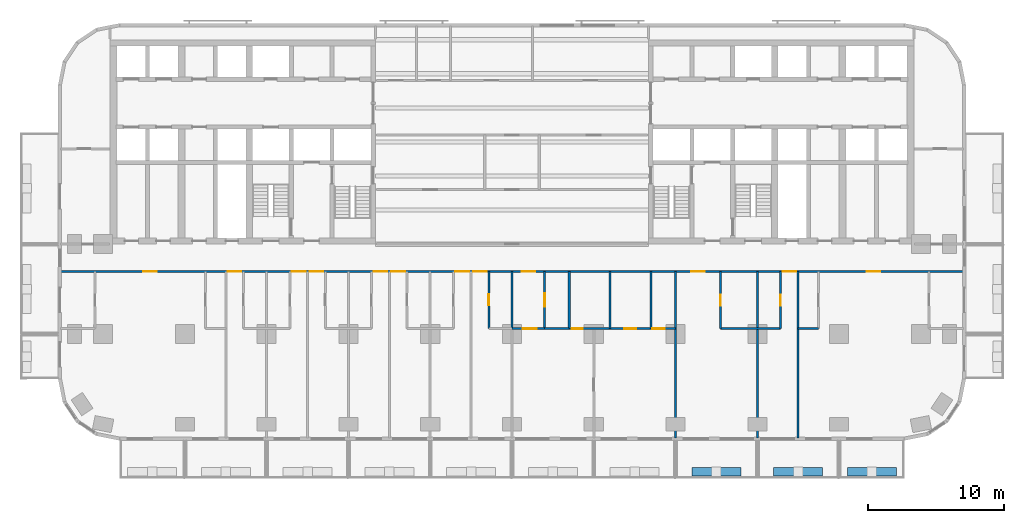
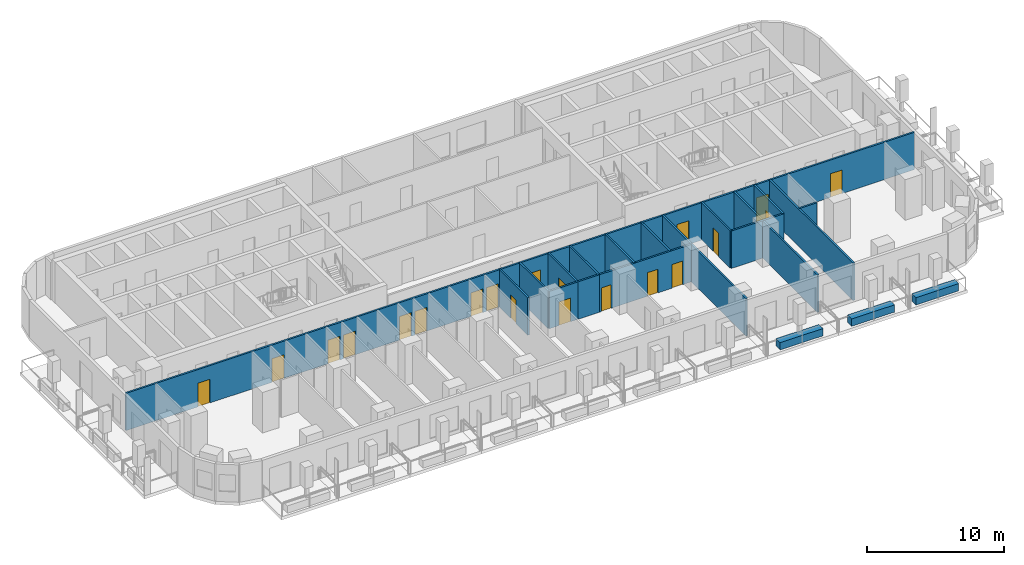
# One storey, part 5 of 13: 20 doors, 20 walls, 20 openings.
"""IFC4 building model written with IfcOpenShell, lengths in metres."""

from ifc_helpers import new_model, si_unit, direction, frame, frame_2d, origin, place, context, subcontext, project, spatial, rectangle, extrude, material, layer, layer_set, type_object, element, fill, save


model = new_model("IFC4")

# Units and contexts
model_context = context("Model", 3, precision=1e-05, world=origin(), true_north=direction((0.0, 1.0)))
body_context = subcontext(model_context, "Body", "Model", "MODEL_VIEW")
ifc_project = project(units=[si_unit("LENGTHUNIT", "METRE"), si_unit("AREAUNIT", "SQUARE_METRE"), si_unit("VOLUMEUNIT", "CUBIC_METRE"), si_unit("PLANEANGLEUNIT", "RADIAN"), si_unit("MASSUNIT", "GRAM", prefix="KILO")], contexts=[model_context])

# Site, building, storey
site_placement = place(None, origin())
site = spatial("IfcSite", under=ifc_project, at=site_placement, CompositionType="ELEMENT")
building_placement = place(site_placement, origin())
building = spatial("IfcBuilding", under=site, at=building_placement, Name="Torana Hotel and Residences", CompositionType="ELEMENT")
storey_placement = place(building_placement, frame((0.0, 0.0, 60.0)))
storey = spatial("IfcBuildingStorey", under=building, at=storey_placement, Name="L14", CompositionType="ELEMENT", Elevation=60.0)

# Wall, opening, door
ifc_material_1 = material(Name="Gypsum plaster")
ifc_layer_1 = layer(ifc_material_1, 0.014892578125, Name="Plaster", Category="finish")
ifc_material_2 = material(Name="Concrete blockwork", Category="masonry")
ifc_layer_2 = layer(ifc_material_2, 0.1201171875, Name="Blockwork", Category="structure")
ifc_layer_3 = layer(ifc_material_1, 0.014892578125, Name="Plaster", Category="finish")
ifc_layer_set_1 = layer_set([ifc_layer_1, ifc_layer_2, ifc_layer_3], Name="FIRE PARTITION 150 BLOCKWORK")
wall_type_1 = type_object("IfcWallType", Name="FIRE PARTITION 150 BLOCKWORK", PredefinedType="PARTITIONING", material=ifc_layer_set_1)
wall_1_placement = place(storey_placement, frame((2.39990234375, -21.199951171875, 0.0), z_axis=(0.0, 0.0, 1.0), x_axis=(0.0, 1.0, 0.0)))
wall_1 = element("IfcWall", 1, at=wall_1_placement, inside=storey, type_object=wall_type_1, Name="Partition L14", PredefinedType="PARTITIONING", context=body_context, shape_type="SweptSolid", body=[
    extrude(rectangle(XDim=4.199951171875, YDim=0.14990234375, at=frame_2d((2.10009765625, 0.0))), origin(), (0.0, 0.0, 1.0), 3.320068359375),
])
opening_1_placement = place(wall_1_placement, frame((1.60009765625, 0.0, 0.0)))
opening_1 = element("IfcOpeningElement", 2, at=opening_1_placement, cuts=wall_1, Name="Opening L14-63", PredefinedType="OPENING", context=body_context, shape_type="SweptSolid", body=[
    extrude(rectangle(XDim=1.0, YDim=2.10009765625, at=frame_2d((0.5, 1.050048828125))), frame((0.0, 0.0849609375, 0.0), z_axis=(0.0, -1.0, 0.0), x_axis=(1.0, 0.0, 0.0)), (0.0, 0.0, 1.0), 0.169921875),
])
ifc_material_3 = material(Name="Steel S235", Category="steel")
door_type_1 = type_object("IfcDoorType", Name="ENTRY FIRE DOOR D6 1000x2100", OperationType="SINGLE_SWING_LEFT", PredefinedType="DOOR", material=ifc_material_3)
door_1_placement = place(opening_1_placement, frame((0.5, 0.0, 0.0), z_axis=(0.0, 0.0, 1.0), x_axis=(-1.0, 0.0, 0.0)))
door_1 = element("IfcDoor", 3, at=door_1_placement, inside=storey, type_object=door_type_1, Name="Door L14", OperationType="SINGLE_SWING_LEFT", OverallHeight=2.10009765625, OverallWidth=1.0, PredefinedType="DOOR", context=body_context, shape_type="SweptSolid", body=[
    extrude(rectangle(XDim=1.0, YDim=2.10009765625, at=frame_2d((0.0, 1.050048828125))), frame((0.0, -0.02490234375, 0.0), z_axis=(0.0, 1.0, 0.0), x_axis=(-1.0, 0.0, 0.0)), (0.0, 0.0, 1.0), 0.050048828125),
])
fill(opening_1, door_1)

# Wall
wall_2_placement = place(storey_placement, frame((0.0, -21.199951171875, 0.0), z_axis=(0.0, 0.0, 1.0), x_axis=(0.0, 1.0, 0.0)))
element("IfcWall", 4, at=wall_2_placement, inside=storey, type_object=wall_type_1, Name="Partition L14", PredefinedType="PARTITIONING", context=body_context, shape_type="SweptSolid", body=[
    extrude(rectangle(XDim=4.199951171875, YDim=0.14990234375, at=frame_2d((2.10009765625, 0.0))), origin(), (0.0, 0.0, 1.0), 3.320068359375),
])

# Wall, opening, door
wall_3_placement = place(storey_placement, frame((0.0, -21.199951171875, 0.0), z_axis=(0.0, 0.0, 1.0), x_axis=(1.0, 0.0, 0.0)))
wall_3 = element("IfcWall", 5, at=wall_3_placement, inside=storey, type_object=wall_type_1, Name="Partition L14", PredefinedType="PARTITIONING", context=body_context, shape_type="SweptSolid", body=[
    extrude(rectangle(XDim=2.39990234375, YDim=0.14990234375, at=frame_2d((1.199951171875, 0.0))), origin(), (0.0, 0.0, 1.0), 3.320068359375),
])
opening_2_placement = place(wall_3_placement, frame((0.800048828125, 0.0, 0.0)))
opening_2 = element("IfcOpeningElement", 6, at=opening_2_placement, cuts=wall_3, Name="Opening L14-64", PredefinedType="OPENING", context=body_context, shape_type="SweptSolid", body=[
    extrude(rectangle(XDim=1.0, YDim=2.10009765625, at=frame_2d((0.5, 1.050048828125))), frame((0.0, 0.0849609375, 0.0), z_axis=(0.0, -1.0, 0.0), x_axis=(1.0, 0.0, 0.0)), (0.0, 0.0, 1.0), 0.169921875),
])
door_2_placement = place(opening_2_placement, frame((0.5, 0.0, 0.0), z_axis=(0.0, 0.0, 1.0), x_axis=(-1.0, 0.0, 0.0)))
door_2 = element("IfcDoor", 7, at=door_2_placement, inside=storey, type_object=door_type_1, Name="Door L14", OperationType="SINGLE_SWING_LEFT", OverallHeight=2.10009765625, OverallWidth=1.0, PredefinedType="DOOR", context=body_context, shape_type="SweptSolid", body=[
    extrude(rectangle(XDim=1.0, YDim=2.10009765625, at=frame_2d((0.0, 1.050048828125))), frame((0.0, -0.02490234375, 0.0), z_axis=(0.0, 1.0, 0.0), x_axis=(-1.0, 0.0, 0.0)), (0.0, 0.0, 1.0), 0.050048828125),
])
fill(opening_2, door_2)

# Wall, openings, doors
wall_4_placement = place(storey_placement, frame((-33.1201171875, -17.0, 0.0), z_axis=(0.0, 0.0, 1.0), x_axis=(1.0, 0.0, 0.0)))
wall_4 = element("IfcWall", 8, at=wall_4_placement, inside=storey, type_object=wall_type_1, Name="Partition L14", PredefinedType="PARTITIONING", context=body_context, shape_type="SweptSolid", body=[
    extrude(rectangle(XDim=66.240234375, YDim=0.14990234375, at=frame_2d((33.1201171875, 0.0))), origin(), (0.0, 0.0, 1.0), 3.320068359375),
])
opening_3_placement = place(wall_4_placement, frame((12.27001953125, 0.0, 0.0)))
opening_3 = element("IfcOpeningElement", 9, at=opening_3_placement, cuts=wall_4, Name="Opening L14-34", PredefinedType="OPENING", context=body_context, shape_type="SweptSolid", body=[
    extrude(rectangle(XDim=1.0, YDim=2.10009765625, at=frame_2d((0.5, 1.050048828125))), frame((0.0, 0.0849609375, 0.0), z_axis=(0.0, -1.0, 0.0), x_axis=(1.0, 0.0, 0.0)), (0.0, 0.0, 1.0), 0.169921875),
])
opening_4_placement = place(wall_4_placement, frame((16.969970703125, 0.0, 0.0)))
opening_4 = element("IfcOpeningElement", 10, at=opening_4_placement, cuts=wall_4, Name="Opening L14-35", PredefinedType="OPENING", context=body_context, shape_type="SweptSolid", body=[
    extrude(rectangle(XDim=1.0, YDim=2.10009765625, at=frame_2d((0.5, 1.050048828125))), frame((0.0, 0.0849609375, 0.0), z_axis=(0.0, -1.0, 0.0), x_axis=(1.0, 0.0, 0.0)), (0.0, 0.0, 1.0), 0.169921875),
])
opening_5_placement = place(wall_4_placement, frame((18.27001953125, 0.0, 0.0)))
opening_5 = element("IfcOpeningElement", 11, at=opening_5_placement, cuts=wall_4, Name="Opening L14-36", PredefinedType="OPENING", context=body_context, shape_type="SweptSolid", body=[
    extrude(rectangle(XDim=1.0, YDim=2.10009765625, at=frame_2d((0.5, 1.050048828125))), frame((0.0, 0.0849609375, 0.0), z_axis=(0.0, -1.0, 0.0), x_axis=(1.0, 0.0, 0.0)), (0.0, 0.0, 1.0), 0.169921875),
])
opening_6_placement = place(wall_4_placement, frame((22.969970703125, 0.0, 0.0)))
opening_6 = element("IfcOpeningElement", 12, at=opening_6_placement, cuts=wall_4, Name="Opening L14-37", PredefinedType="OPENING", context=body_context, shape_type="SweptSolid", body=[
    extrude(rectangle(XDim=1.0, YDim=2.10009765625, at=frame_2d((0.5, 1.050048828125))), frame((0.0, 0.0849609375, 0.0), z_axis=(0.0, -1.0, 0.0), x_axis=(1.0, 0.0, 0.0)), (0.0, 0.0, 1.0), 0.169921875),
])
opening_7_placement = place(wall_4_placement, frame((24.27001953125, 0.0, 0.0)))
opening_7 = element("IfcOpeningElement", 13, at=opening_7_placement, cuts=wall_4, Name="Opening L14-38", PredefinedType="OPENING", context=body_context, shape_type="SweptSolid", body=[
    extrude(rectangle(XDim=1.0, YDim=2.10009765625, at=frame_2d((0.5, 1.050048828125))), frame((0.0, 0.0849609375, 0.0), z_axis=(0.0, -1.0, 0.0), x_axis=(1.0, 0.0, 0.0)), (0.0, 0.0, 1.0), 0.169921875),
])
opening_8_placement = place(wall_4_placement, frame((28.969970703125, 0.0, 0.0)))
opening_8 = element("IfcOpeningElement", 14, at=opening_8_placement, cuts=wall_4, Name="Opening L14-39", PredefinedType="OPENING", context=body_context, shape_type="SweptSolid", body=[
    extrude(rectangle(XDim=1.0, YDim=2.10009765625, at=frame_2d((0.5, 1.050048828125))), frame((0.0, 0.0849609375, 0.0), z_axis=(0.0, -1.0, 0.0), x_axis=(1.0, 0.0, 0.0)), (0.0, 0.0, 1.0), 0.169921875),
])
opening_9_placement = place(wall_4_placement, frame((30.27001953125, 0.0, 0.0)))
opening_9 = element("IfcOpeningElement", 15, at=opening_9_placement, cuts=wall_4, Name="Opening L14-40", PredefinedType="OPENING", context=body_context, shape_type="SweptSolid", body=[
    extrude(rectangle(XDim=1.0, YDim=2.10009765625, at=frame_2d((0.5, 1.050048828125))), frame((0.0, 0.0849609375, 0.0), z_axis=(0.0, -1.0, 0.0), x_axis=(1.0, 0.0, 0.0)), (0.0, 0.0, 1.0), 0.169921875),
])
opening_10_placement = place(wall_4_placement, frame((33.820068359375, 0.0, 0.0)))
opening_10 = element("IfcOpeningElement", 16, at=opening_10_placement, cuts=wall_4, Name="Opening L14-41", PredefinedType="OPENING", context=body_context, shape_type="SweptSolid", body=[
    extrude(rectangle(XDim=1.0, YDim=2.10009765625, at=frame_2d((0.5, 1.050048828125))), frame((0.0, 0.0849609375, 0.0), z_axis=(0.0, -1.0, 0.0), x_axis=(1.0, 0.0, 0.0)), (0.0, 0.0, 1.0), 0.169921875),
])
opening_11_placement = place(wall_4_placement, frame((46.27001953125, 0.0, 0.0)))
opening_11 = element("IfcOpeningElement", 17, at=opening_11_placement, cuts=wall_4, Name="Opening L14-42", PredefinedType="OPENING", context=body_context, shape_type="SweptSolid", body=[
    extrude(rectangle(XDim=1.0, YDim=2.10009765625, at=frame_2d((0.5, 1.050048828125))), frame((0.0, 0.0849609375, 0.0), z_axis=(0.0, -1.0, 0.0), x_axis=(1.0, 0.0, 0.0)), (0.0, 0.0, 1.0), 0.169921875),
])
opening_12_placement = place(wall_4_placement, frame((52.969970703125, 0.0, 0.0)))
opening_12 = element("IfcOpeningElement", 18, at=opening_12_placement, cuts=wall_4, Name="Opening L14-43", PredefinedType="OPENING", context=body_context, shape_type="SweptSolid", body=[
    extrude(rectangle(XDim=1.0, YDim=2.10009765625, at=frame_2d((0.5, 1.050048828125))), frame((0.0, 0.0849609375, 0.0), z_axis=(0.0, -1.0, 0.0), x_axis=(1.0, 0.0, 0.0)), (0.0, 0.0, 1.0), 0.169921875),
])
opening_13_placement = place(wall_4_placement, frame((6.050048828125, 0.0, 0.0)))
opening_13 = element("IfcOpeningElement", 19, at=opening_13_placement, cuts=wall_4, Name="Opening L14-44", PredefinedType="OPENING", context=body_context, shape_type="SweptSolid", body=[
    extrude(rectangle(XDim=1.0, YDim=2.10009765625, at=frame_2d((0.5, 1.050048828125))), frame((0.0, 0.0849609375, 0.0), z_axis=(0.0, -1.0, 0.0), x_axis=(1.0, 0.0, 0.0)), (0.0, 0.0, 1.0), 0.169921875),
])
opening_14_placement = place(wall_4_placement, frame((59.14990234375, 0.0, 0.0)))
opening_14 = element("IfcOpeningElement", 20, at=opening_14_placement, cuts=wall_4, Name="Opening L14-45", PredefinedType="OPENING", context=body_context, shape_type="SweptSolid", body=[
    extrude(rectangle(XDim=1.0, YDim=2.10009765625, at=frame_2d((0.5, 1.050048828125))), frame((0.0, 0.0849609375, 0.0), z_axis=(0.0, -1.0, 0.0), x_axis=(1.0, 0.0, 0.0)), (0.0, 0.0, 1.0), 0.169921875),
])
door_3_placement = place(opening_3_placement, frame((0.5, 0.0, 0.0), z_axis=(0.0, 0.0, 1.0), x_axis=(-1.0, 0.0, 0.0)))
door_3 = element("IfcDoor", 21, at=door_3_placement, inside=storey, type_object=door_type_1, Name="Door L14", OperationType="SINGLE_SWING_LEFT", OverallHeight=2.10009765625, OverallWidth=1.0, PredefinedType="DOOR", context=body_context, shape_type="SweptSolid", body=[
    extrude(rectangle(XDim=1.0, YDim=2.10009765625, at=frame_2d((0.0, 1.050048828125))), frame((0.0, -0.02490234375, 0.0), z_axis=(0.0, 1.0, 0.0), x_axis=(-1.0, 0.0, 0.0)), (0.0, 0.0, 1.0), 0.050048828125),
])
fill(opening_3, door_3)
door_4_placement = place(opening_4_placement, frame((0.5, 0.0, 0.0), z_axis=(0.0, 0.0, 1.0), x_axis=(-1.0, 0.0, 0.0)))
door_4 = element("IfcDoor", 22, at=door_4_placement, inside=storey, type_object=door_type_1, Name="Door L14", OperationType="SINGLE_SWING_LEFT", OverallHeight=2.10009765625, OverallWidth=1.0, PredefinedType="DOOR", context=body_context, shape_type="SweptSolid", body=[
    extrude(rectangle(XDim=1.0, YDim=2.10009765625, at=frame_2d((0.0, 1.050048828125))), frame((0.0, -0.02490234375, 0.0), z_axis=(0.0, 1.0, 0.0), x_axis=(-1.0, 0.0, 0.0)), (0.0, 0.0, 1.0), 0.050048828125),
])
fill(opening_4, door_4)
door_5_placement = place(opening_5_placement, frame((0.5, 0.0, 0.0), z_axis=(0.0, 0.0, 1.0), x_axis=(-1.0, 0.0, 0.0)))
door_5 = element("IfcDoor", 23, at=door_5_placement, inside=storey, type_object=door_type_1, Name="Door L14", OperationType="SINGLE_SWING_LEFT", OverallHeight=2.10009765625, OverallWidth=1.0, PredefinedType="DOOR", context=body_context, shape_type="SweptSolid", body=[
    extrude(rectangle(XDim=1.0, YDim=2.10009765625, at=frame_2d((0.0, 1.050048828125))), frame((0.0, -0.02490234375, 0.0), z_axis=(0.0, 1.0, 0.0), x_axis=(-1.0, 0.0, 0.0)), (0.0, 0.0, 1.0), 0.050048828125),
])
fill(opening_5, door_5)
door_6_placement = place(opening_6_placement, frame((0.5, 0.0, 0.0), z_axis=(0.0, 0.0, 1.0), x_axis=(-1.0, 0.0, 0.0)))
door_6 = element("IfcDoor", 24, at=door_6_placement, inside=storey, type_object=door_type_1, Name="Door L14", OperationType="SINGLE_SWING_LEFT", OverallHeight=2.10009765625, OverallWidth=1.0, PredefinedType="DOOR", context=body_context, shape_type="SweptSolid", body=[
    extrude(rectangle(XDim=1.0, YDim=2.10009765625, at=frame_2d((0.0, 1.050048828125))), frame((0.0, -0.02490234375, 0.0), z_axis=(0.0, 1.0, 0.0), x_axis=(-1.0, 0.0, 0.0)), (0.0, 0.0, 1.0), 0.050048828125),
])
fill(opening_6, door_6)
door_7_placement = place(opening_7_placement, frame((0.5, 0.0, 0.0), z_axis=(0.0, 0.0, 1.0), x_axis=(-1.0, 0.0, 0.0)))
door_7 = element("IfcDoor", 25, at=door_7_placement, inside=storey, type_object=door_type_1, Name="Door L14", OperationType="SINGLE_SWING_LEFT", OverallHeight=2.10009765625, OverallWidth=1.0, PredefinedType="DOOR", context=body_context, shape_type="SweptSolid", body=[
    extrude(rectangle(XDim=1.0, YDim=2.10009765625, at=frame_2d((0.0, 1.050048828125))), frame((0.0, -0.02490234375, 0.0), z_axis=(0.0, 1.0, 0.0), x_axis=(-1.0, 0.0, 0.0)), (0.0, 0.0, 1.0), 0.050048828125),
])
fill(opening_7, door_7)
door_8_placement = place(opening_8_placement, frame((0.5, 0.0, 0.0), z_axis=(0.0, 0.0, 1.0), x_axis=(-1.0, 0.0, 0.0)))
door_8 = element("IfcDoor", 26, at=door_8_placement, inside=storey, type_object=door_type_1, Name="Door L14", OperationType="SINGLE_SWING_LEFT", OverallHeight=2.10009765625, OverallWidth=1.0, PredefinedType="DOOR", context=body_context, shape_type="SweptSolid", body=[
    extrude(rectangle(XDim=1.0, YDim=2.10009765625, at=frame_2d((0.0, 1.050048828125))), frame((0.0, -0.02490234375, 0.0), z_axis=(0.0, 1.0, 0.0), x_axis=(-1.0, 0.0, 0.0)), (0.0, 0.0, 1.0), 0.050048828125),
])
fill(opening_8, door_8)
door_9_placement = place(opening_9_placement, frame((0.5, 0.0, 0.0), z_axis=(0.0, 0.0, 1.0), x_axis=(-1.0, 0.0, 0.0)))
door_9 = element("IfcDoor", 27, at=door_9_placement, inside=storey, type_object=door_type_1, Name="Door L14", OperationType="SINGLE_SWING_LEFT", OverallHeight=2.10009765625, OverallWidth=1.0, PredefinedType="DOOR", context=body_context, shape_type="SweptSolid", body=[
    extrude(rectangle(XDim=1.0, YDim=2.10009765625, at=frame_2d((0.0, 1.050048828125))), frame((0.0, -0.02490234375, 0.0), z_axis=(0.0, 1.0, 0.0), x_axis=(-1.0, 0.0, 0.0)), (0.0, 0.0, 1.0), 0.050048828125),
])
fill(opening_9, door_9)
door_10_placement = place(opening_10_placement, origin())
door_10 = element("IfcDoor", 28, at=door_10_placement, inside=storey, type_object=door_type_1, Name="Door L14", OperationType="SINGLE_SWING_RIGHT", OverallHeight=2.10009765625, OverallWidth=1.0, PredefinedType="DOOR", context=body_context, shape_type="SweptSolid", body=[
    extrude(rectangle(XDim=1.0, YDim=2.10009765625, at=frame_2d((0.5, 1.050048828125))), frame((0.0, 0.02490234375, 0.0), z_axis=(0.0, -1.0, 0.0), x_axis=(1.0, 0.0, 0.0)), (0.0, 0.0, 1.0), 0.050048828125),
])
fill(opening_10, door_10)
door_11_placement = place(opening_11_placement, frame((0.5, 0.0, 0.0), z_axis=(0.0, 0.0, 1.0), x_axis=(-1.0, 0.0, 0.0)))
door_11 = element("IfcDoor", 29, at=door_11_placement, inside=storey, type_object=door_type_1, Name="Door L14", OperationType="SINGLE_SWING_LEFT", OverallHeight=2.10009765625, OverallWidth=1.0, PredefinedType="DOOR", context=body_context, shape_type="SweptSolid", body=[
    extrude(rectangle(XDim=1.0, YDim=2.10009765625, at=frame_2d((0.0, 1.050048828125))), frame((0.0, -0.02490234375, 0.0), z_axis=(0.0, 1.0, 0.0), x_axis=(-1.0, 0.0, 0.0)), (0.0, 0.0, 1.0), 0.050048828125),
])
fill(opening_11, door_11)
door_12_placement = place(opening_12_placement, frame((0.5, 0.0, 0.0), z_axis=(0.0, 0.0, 1.0), x_axis=(-1.0, 0.0, 0.0)))
door_12 = element("IfcDoor", 30, at=door_12_placement, inside=storey, type_object=door_type_1, Name="Door L14", OperationType="SINGLE_SWING_LEFT", OverallHeight=2.10009765625, OverallWidth=1.0, PredefinedType="DOOR", context=body_context, shape_type="SweptSolid", body=[
    extrude(rectangle(XDim=1.0, YDim=2.10009765625, at=frame_2d((0.0, 1.050048828125))), frame((0.0, -0.02490234375, 0.0), z_axis=(0.0, 1.0, 0.0), x_axis=(-1.0, 0.0, 0.0)), (0.0, 0.0, 1.0), 0.050048828125),
])
fill(opening_12, door_12)
door_13_placement = place(opening_13_placement, frame((0.5, 0.0, 0.0), z_axis=(0.0, 0.0, 1.0), x_axis=(-1.0, 0.0, 0.0)))
door_13 = element("IfcDoor", 31, at=door_13_placement, inside=storey, type_object=door_type_1, Name="Door L14", OperationType="SINGLE_SWING_LEFT", OverallHeight=2.10009765625, OverallWidth=1.0, PredefinedType="DOOR", context=body_context, shape_type="SweptSolid", body=[
    extrude(rectangle(XDim=1.0, YDim=2.10009765625, at=frame_2d((0.0, 1.050048828125))), frame((0.0, -0.02490234375, 0.0), z_axis=(0.0, 1.0, 0.0), x_axis=(-1.0, 0.0, 0.0)), (0.0, 0.0, 1.0), 0.050048828125),
])
fill(opening_13, door_13)
door_14_placement = place(opening_14_placement, frame((0.5, 0.0, 0.0), z_axis=(0.0, 0.0, 1.0), x_axis=(-1.0, 0.0, 0.0)))
door_14 = element("IfcDoor", 32, at=door_14_placement, inside=storey, type_object=door_type_1, Name="Door L14", OperationType="SINGLE_SWING_LEFT", OverallHeight=2.10009765625, OverallWidth=1.0, PredefinedType="DOOR", context=body_context, shape_type="SweptSolid", body=[
    extrude(rectangle(XDim=1.0, YDim=2.10009765625, at=frame_2d((0.0, 1.050048828125))), frame((0.0, -0.02490234375, 0.0), z_axis=(0.0, 1.0, 0.0), x_axis=(-1.0, 0.0, 0.0)), (0.0, 0.0, 1.0), 0.050048828125),
])
fill(opening_14, door_14)

# Wall
ifc_material_4 = material(Name="Gypsum plasterboard")
ifc_layer_4 = layer(ifc_material_4, 0.012451171875, Name="Plasterboard", Category="finish")
ifc_layer_5 = layer(ifc_material_4, 0.012451171875, Name="Plasterboard", Category="finish")
ifc_material_5 = material(Name="Steel S280GD", Category="steel")
ifc_layer_6 = layer(ifc_material_5, 0.10009765625, Name="Steel studs with mineral wool", Category="insulation")
ifc_layer_7 = layer(ifc_material_4, 0.012451171875, Name="Plasterboard", Category="finish")
ifc_layer_8 = layer(ifc_material_4, 0.012451171875, Name="Plasterboard", Category="finish")
ifc_layer_set_2 = layer_set([ifc_layer_4, ifc_layer_5, ifc_layer_6, ifc_layer_7, ifc_layer_8], Name="PARTITION 150 PLASTERBOARD")
wall_type_2 = type_object("IfcWallType", Name="PARTITION 150 PLASTERBOARD", PredefinedType="PARTITIONING", material=ifc_layer_set_2)
wall_5_placement = place(storey_placement, frame((21.0, -29.219970703125, 0.0), z_axis=(0.0, 0.0, 1.0), x_axis=(0.0, 1.0, 0.0)))
element("IfcWall", 33, at=wall_5_placement, inside=storey, type_object=wall_type_2, Name="Partition L14", PredefinedType="PARTITIONING", context=body_context, shape_type="SweptSolid", body=[
    extrude(rectangle(XDim=12.219970703125, YDim=0.14990234375, at=frame_2d((6.10986328125, 0.0))), origin(), (0.0, 0.0, 1.0), 3.320068359375),
])

# Wall, opening, door
wall_6_placement = place(storey_placement, frame((19.699951171875, -21.199951171875, 0.0), z_axis=(0.0, 0.0, 1.0), x_axis=(0.0, 1.0, 0.0)))
wall_6 = element("IfcWall", 34, at=wall_6_placement, inside=storey, type_object=wall_type_2, Name="Partition L14", PredefinedType="PARTITIONING", context=body_context, shape_type="SweptSolid", body=[
    extrude(rectangle(XDim=4.199951171875, YDim=0.14990234375, at=frame_2d((2.10009765625, 0.0))), origin(), (0.0, 0.0, 1.0), 3.320068359375),
])
opening_15_placement = place(wall_6_placement, frame((1.679931640625, 0.0, 0.0)))
opening_15 = element("IfcOpeningElement", 35, at=opening_15_placement, cuts=wall_6, Name="Opening L14-70", PredefinedType="OPENING", context=body_context, shape_type="SweptSolid", body=[
    extrude(rectangle(XDim=0.800048828125, YDim=2.10009765625, at=frame_2d((0.39990234375, 1.050048828125))), frame((0.0, 0.0849609375, 0.0), z_axis=(0.0, -1.0, 0.0), x_axis=(1.0, 0.0, 0.0)), (0.0, 0.0, 1.0), 0.169921875),
])
ifc_material_6 = material(Name="Timber door, painted", Category="wood")
door_type_2 = type_object("IfcDoorType", Name="BATH DOOR D13 800x2100", OperationType="SINGLE_SWING_LEFT", PredefinedType="DOOR", material=ifc_material_6)
door_15_placement = place(opening_15_placement, origin())
door_15 = element("IfcDoor", 36, at=door_15_placement, inside=storey, type_object=door_type_2, Name="Door L14", OperationType="SINGLE_SWING_RIGHT", OverallHeight=2.10009765625, OverallWidth=0.800048828125, PredefinedType="DOOR", context=body_context, shape_type="SweptSolid", body=[
    extrude(rectangle(XDim=0.800048828125, YDim=2.10009765625, at=frame_2d((0.39990234375, 1.050048828125))), frame((0.0, 0.02490234375, 0.0), z_axis=(0.0, -1.0, 0.0), x_axis=(1.0, 0.0, 0.0)), (0.0, 0.0, 1.0), 0.050048828125),
])
fill(opening_15, door_15)

# Wall
wall_7_placement = place(storey_placement, frame((18.0, -29.219970703125, 0.0), z_axis=(0.0, 0.0, 1.0), x_axis=(0.0, 1.0, 0.0)))
element("IfcWall", 37, at=wall_7_placement, inside=storey, type_object=wall_type_2, Name="Partition L14", PredefinedType="PARTITIONING", context=body_context, shape_type="SweptSolid", body=[
    extrude(rectangle(XDim=12.219970703125, YDim=0.14990234375, at=frame_2d((6.10986328125, 0.0))), origin(), (0.0, 0.0, 1.0), 3.320068359375),
])

# Wall, opening, door
wall_8_placement = place(storey_placement, frame((15.300048828125, -21.199951171875, 0.0), z_axis=(0.0, 0.0, 1.0), x_axis=(0.0, 1.0, 0.0)))
wall_8 = element("IfcWall", 38, at=wall_8_placement, inside=storey, type_object=wall_type_2, Name="Partition L14", PredefinedType="PARTITIONING", context=body_context, shape_type="SweptSolid", body=[
    extrude(rectangle(XDim=4.199951171875, YDim=0.14990234375, at=frame_2d((2.10009765625, 0.0))), origin(), (0.0, 0.0, 1.0), 3.320068359375),
])
opening_16_placement = place(wall_8_placement, frame((1.699951171875, 0.0, 0.0)))
opening_16 = element("IfcOpeningElement", 39, at=opening_16_placement, cuts=wall_8, Name="Opening L14-69", PredefinedType="OPENING", context=body_context, shape_type="SweptSolid", body=[
    extrude(rectangle(XDim=0.800048828125, YDim=2.10009765625, at=frame_2d((0.39990234375, 1.050048828125))), frame((0.0, 0.0849609375, 0.0), z_axis=(0.0, -1.0, 0.0), x_axis=(1.0, 0.0, 0.0)), (0.0, 0.0, 1.0), 0.169921875),
])
door_16_placement = place(opening_16_placement, origin())
door_16 = element("IfcDoor", 40, at=door_16_placement, inside=storey, type_object=door_type_2, Name="Door L14", OperationType="SINGLE_SWING_RIGHT", OverallHeight=2.10009765625, OverallWidth=0.800048828125, PredefinedType="DOOR", context=body_context, shape_type="SweptSolid", body=[
    extrude(rectangle(XDim=0.800048828125, YDim=2.10009765625, at=frame_2d((0.39990234375, 1.050048828125))), frame((0.0, 0.02490234375, 0.0), z_axis=(0.0, -1.0, 0.0), x_axis=(1.0, 0.0, 0.0)), (0.0, 0.0, 1.0), 0.050048828125),
])
fill(opening_16, door_16)

# Walls
wall_9_placement = place(storey_placement, frame((12.0, -29.219970703125, 0.0), z_axis=(0.0, 0.0, 1.0), x_axis=(0.0, 1.0, 0.0)))
element("IfcWall", 41, at=wall_9_placement, inside=storey, type_object=wall_type_2, Name="Partition L14", PredefinedType="PARTITIONING", context=body_context, shape_type="SweptSolid", body=[
    extrude(rectangle(XDim=12.219970703125, YDim=0.14990234375, at=frame_2d((6.10986328125, 0.0))), origin(), (0.0, 0.0, 1.0), 3.320068359375),
])
for number, where, z_axis, x_axis, name in (
    (42, (10.199951171875, -21.199951171875, 0.0), (0.0, 0.0, 1.0), (0.0, 1.0, 0.0), "Partition L14"),
    (43, (7.199951171875, -21.199951171875, 0.0), (0.0, 0.0, 1.0), (0.0, 1.0, 0.0), "Partition L14"),
):
    element("IfcWall", number, at=place(storey_placement, frame(where, z_axis=z_axis, x_axis=x_axis)), inside=storey, type_object=wall_type_2, Name=name, PredefinedType="PARTITIONING", context=body_context, shape_type="SweptSolid", body=[
        extrude(rectangle(XDim=4.199951171875, YDim=0.14990234375, at=frame_2d((2.10009765625, 0.0))), origin(), (0.0, 0.0, 1.0), 3.320068359375),
    ])

# Wall, opening, door
wall_10_placement = place(storey_placement, frame((-1.699951171875, -21.199951171875, 0.0), z_axis=(0.0, 0.0, 1.0), x_axis=(0.0, 1.0, 0.0)))
wall_10 = element("IfcWall", 44, at=wall_10_placement, inside=storey, type_object=wall_type_2, Name="Partition L14", PredefinedType="PARTITIONING", context=body_context, shape_type="SweptSolid", body=[
    extrude(rectangle(XDim=4.199951171875, YDim=0.14990234375, at=frame_2d((2.10009765625, 0.0))), origin(), (0.0, 0.0, 1.0), 3.320068359375),
])
opening_17_placement = place(wall_10_placement, frame((1.719970703125, 0.0, 0.0)))
opening_17 = element("IfcOpeningElement", 45, at=opening_17_placement, cuts=wall_10, Name="Opening L14-62", PredefinedType="OPENING", context=body_context, shape_type="SweptSolid", body=[
    extrude(rectangle(XDim=0.800048828125, YDim=2.10009765625, at=frame_2d((0.39990234375, 1.050048828125))), frame((0.0, 0.0849609375, 0.0), z_axis=(0.0, -1.0, 0.0), x_axis=(1.0, 0.0, 0.0)), (0.0, 0.0, 1.0), 0.169921875),
])
door_17_placement = place(opening_17_placement, origin())
door_17 = element("IfcDoor", 46, at=door_17_placement, inside=storey, type_object=door_type_2, Name="Door L14", OperationType="SINGLE_SWING_RIGHT", OverallHeight=2.10009765625, OverallWidth=0.800048828125, PredefinedType="DOOR", context=body_context, shape_type="SweptSolid", body=[
    extrude(rectangle(XDim=0.800048828125, YDim=2.10009765625, at=frame_2d((0.39990234375, 1.050048828125))), frame((0.0, 0.02490234375, 0.0), z_axis=(0.0, -1.0, 0.0), x_axis=(1.0, 0.0, 0.0)), (0.0, 0.0, 1.0), 0.050048828125),
])
fill(opening_17, door_17)

# Wall, openings, doors
wall_11_placement = place(storey_placement, frame((4.199951171875, -21.199951171875, 0.0), z_axis=(0.0, 0.0, 1.0), x_axis=(1.0, 0.0, 0.0)))
wall_11 = element("IfcWall", 47, at=wall_11_placement, inside=storey, type_object=wall_type_2, Name="Partition L14", PredefinedType="PARTITIONING", context=body_context, shape_type="SweptSolid", body=[
    extrude(rectangle(XDim=7.800048828125, YDim=0.14990234375, at=frame_2d((3.89990234375, 0.0))), origin(), (0.0, 0.0, 1.0), 3.320068359375),
])
opening_18_placement = place(wall_11_placement, frame((0.199951171875, 0.0, 0.0)))
opening_18 = element("IfcOpeningElement", 48, at=opening_18_placement, cuts=wall_11, Name="Opening L14-65", PredefinedType="OPENING", context=body_context, shape_type="SweptSolid", body=[
    extrude(rectangle(XDim=0.800048828125, YDim=2.10009765625, at=frame_2d((0.39990234375, 1.050048828125))), frame((0.0, 0.0849609375, 0.0), z_axis=(0.0, -1.0, 0.0), x_axis=(1.0, 0.0, 0.0)), (0.0, 0.0, 1.0), 0.169921875),
])
opening_19_placement = place(wall_11_placement, frame((4.030029296875, 0.0, 0.0)))
opening_19 = element("IfcOpeningElement", 49, at=opening_19_placement, cuts=wall_11, Name="Opening L14-66", PredefinedType="OPENING", context=body_context, shape_type="SweptSolid", body=[
    extrude(rectangle(XDim=0.89990234375, YDim=2.10009765625, at=frame_2d((0.449951171875, 1.050048828125))), frame((0.0, 0.0849609375, 0.0), z_axis=(0.0, -1.0, 0.0), x_axis=(1.0, 0.0, 0.0)), (0.0, 0.0, 1.0), 0.169921875),
])
opening_20_placement = place(wall_11_placement, frame((6.10009765625, 0.0, 0.0)))
opening_20 = element("IfcOpeningElement", 50, at=opening_20_placement, cuts=wall_11, Name="Opening L14-67", PredefinedType="OPENING", context=body_context, shape_type="SweptSolid", body=[
    extrude(rectangle(XDim=0.89990234375, YDim=2.10009765625, at=frame_2d((0.449951171875, 1.050048828125))), frame((0.0, 0.0849609375, 0.0), z_axis=(0.0, -1.0, 0.0), x_axis=(1.0, 0.0, 0.0)), (0.0, 0.0, 1.0), 0.169921875),
])
door_18_placement = place(opening_18_placement, origin())
door_18 = element("IfcDoor", 51, at=door_18_placement, inside=storey, type_object=door_type_2, Name="Door L14", OperationType="SINGLE_SWING_LEFT", OverallHeight=2.10009765625, OverallWidth=0.800048828125, PredefinedType="DOOR", context=body_context, shape_type="SweptSolid", body=[
    extrude(rectangle(XDim=0.800048828125, YDim=2.10009765625, at=frame_2d((0.39990234375, 1.050048828125))), frame((0.0, 0.02490234375, 0.0), z_axis=(0.0, -1.0, 0.0), x_axis=(1.0, 0.0, 0.0)), (0.0, 0.0, 1.0), 0.050048828125),
])
fill(opening_18, door_18)
ifc_material_7 = material(Name="Timber door, oiled ash", Category="wood")
door_type_3 = type_object("IfcDoorType", Name="ROOM DOOR D7 900x2100", OperationType="SINGLE_SWING_LEFT", PredefinedType="DOOR", material=ifc_material_7)
door_19_placement = place(opening_19_placement, origin())
door_19 = element("IfcDoor", 52, at=door_19_placement, inside=storey, type_object=door_type_3, Name="Door L14", OperationType="SINGLE_SWING_RIGHT", OverallHeight=2.10009765625, OverallWidth=0.89990234375, PredefinedType="DOOR", context=body_context, shape_type="SweptSolid", body=[
    extrude(rectangle(XDim=0.89990234375, YDim=2.10009765625, at=frame_2d((0.449951171875, 1.050048828125))), frame((0.0, 0.02490234375, 0.0), z_axis=(0.0, -1.0, 0.0), x_axis=(1.0, 0.0, 0.0)), (0.0, 0.0, 1.0), 0.050048828125),
])
fill(opening_19, door_19)
door_20_placement = place(opening_20_placement, frame((0.449951171875, 0.0, 0.0), z_axis=(0.0, 0.0, 1.0), x_axis=(-1.0, 0.0, 0.0)))
door_20 = element("IfcDoor", 53, at=door_20_placement, inside=storey, type_object=door_type_3, Name="Door L14", OperationType="SINGLE_SWING_RIGHT", OverallHeight=2.10009765625, OverallWidth=0.89990234375, PredefinedType="DOOR", context=body_context, shape_type="SweptSolid", body=[
    extrude(rectangle(XDim=0.89990234375, YDim=2.10009765625, at=frame_2d((0.0, 1.050048828125))), frame((0.0, -0.02490234375, 0.0), z_axis=(0.0, 1.0, 0.0), x_axis=(-1.0, 0.0, 0.0)), (0.0, 0.0, 1.0), 0.050048828125),
])
fill(opening_20, door_20)

# Walls
wall_12_placement = place(storey_placement, frame((15.300048828125, -21.199951171875, 0.0), z_axis=(0.0, 0.0, 1.0), x_axis=(1.0, 0.0, 0.0)))
element("IfcWall", 54, at=wall_12_placement, inside=storey, type_object=wall_type_2, Name="Partition L14", PredefinedType="PARTITIONING", context=body_context, shape_type="SweptSolid", body=[
    extrude(rectangle(XDim=4.39990234375, YDim=0.14990234375, at=frame_2d((2.199951171875, 0.0))), origin(), (0.0, 0.0, 1.0), 3.320068359375),
])
wall_13_placement = place(storey_placement, frame((21.0, -21.199951171875, 0.0), z_axis=(0.0, 0.0, 1.0), x_axis=(1.0, 0.0, 0.0)))
element("IfcWall", 55, at=wall_13_placement, inside=storey, type_object=wall_type_2, Name="Partition L14", PredefinedType="PARTITIONING", context=body_context, shape_type="SweptSolid", body=[
    extrude(rectangle(XDim=1.5, YDim=0.14990234375, at=frame_2d((0.75, 0.0))), origin(), (0.0, 0.0, 1.0), 3.320068359375),
])
ifc_material_8 = material(Name="Concrete C40/50 precast", Category="concrete")
ifc_layer_9 = layer(ifc_material_8, 0.10009765625, Name="Planter shell", Category="structure")
ifc_material_9 = material(Name="Root resistant membrane")
ifc_layer_10 = layer(ifc_material_9, 0.00390625, Name="Waterproofing membrane", Category="membrane")
ifc_material_10 = material(Name="Drainage board with filter fleece")
ifc_layer_11 = layer(ifc_material_10, 0.02001953125, Name="Drainage board", Category="drainage")
ifc_material_11 = material(Name="Growing medium")
ifc_layer_12 = layer(ifc_material_11, 0.47607421875, Name="Planting substrate", Category="soil")
ifc_layer_set_3 = layer_set([ifc_layer_9, ifc_layer_10, ifc_layer_11, ifc_layer_12], Name="PL1 BALCONY PLANTER 600")
wall_type_3 = type_object("IfcWallType", Name="PL1 BALCONY PLANTER 600", PredefinedType="USERDEFINED", material=ifc_layer_set_3)
for number, where, z_axis, x_axis, name in (
    (56, (16.800048828125, -31.699951171875, 0.0), (0.0, 0.0, 1.0), (-1.0, 0.0, 0.0), "Planter 08"),
    (57, (22.800048828125, -31.699951171875, 0.0), (0.0, 0.0, 1.0), (-1.0, 0.0, 0.0), "Planter 09"),
):
    element("IfcWall", number, at=place(storey_placement, frame(where, z_axis=z_axis, x_axis=x_axis)), inside=storey, type_object=wall_type_3, Name=name, ObjectType="PLANTER", PredefinedType="USERDEFINED", context=body_context, shape_type="SweptSolid", body=[
        extrude(rectangle(XDim=3.60009765625, YDim=0.60009765625, at=frame_2d((1.800048828125, 0.0))), origin(), (0.0, 0.0, 1.0), 0.64990234375),
    ])
wall_14_placement = place(storey_placement, frame((28.199951171875, -31.699951171875, 0.0), z_axis=(0.0, 0.0, 1.0), x_axis=(-1.0, 0.0, 0.0)))
element("IfcWall", 58, at=wall_14_placement, inside=storey, type_object=wall_type_3, Name="Planter 10", ObjectType="PLANTER", PredefinedType="USERDEFINED", context=body_context, shape_type="SweptSolid", body=[
    extrude(rectangle(XDim=3.599853515625, YDim=0.60009765625, at=frame_2d((1.7998046875, 0.0))), origin(), (0.0, 0.0, 1.0), 0.64990234375),
])
ifc_material_12 = material(Name="Ceramic tile on adhesive")
ifc_layer_13 = layer(ifc_material_12, 0.010009765625, Name="Wall tile", Category="finish")
ifc_material_13 = material(Name="Cement render")
ifc_layer_14 = layer(ifc_material_13, 0.010009765625, Name="Render", Category="finish")
ifc_layer_15 = layer(ifc_material_2, 0.110107421875, Name="Blockwork", Category="structure")
ifc_layer_16 = layer(ifc_material_13, 0.010009765625, Name="Render", Category="finish")
ifc_layer_17 = layer(ifc_material_12, 0.010009765625, Name="Wall tile", Category="finish")
ifc_layer_set_4 = layer_set([ifc_layer_13, ifc_layer_14, ifc_layer_15, ifc_layer_16, ifc_layer_17], Name="WC PARTITION 150")
wall_type_4 = type_object("IfcWallType", Name="WC PARTITION 150", PredefinedType="PLUMBINGWALL", material=ifc_layer_set_4)
wall_15_placement = place(storey_placement, frame((4.199951171875, -21.199951171875, 0.0), z_axis=(0.0, 0.0, 1.0), x_axis=(0.0, 1.0, 0.0)))
element("IfcWall", 59, at=wall_15_placement, inside=storey, type_object=wall_type_4, Name="Partition L14", PredefinedType="PLUMBINGWALL", context=body_context, shape_type="SweptSolid", body=[
    extrude(rectangle(XDim=4.199951171875, YDim=0.14990234375, at=frame_2d((2.10009765625, 0.0))), origin(), (0.0, 0.0, 1.0), 3.320068359375),
])
wall_16_placement = place(storey_placement, frame((2.39990234375, -21.199951171875, 0.0), z_axis=(0.0, 0.0, 1.0), x_axis=(1.0, 0.0, 0.0)))
element("IfcWall", 60, at=wall_16_placement, inside=storey, type_object=wall_type_4, Name="Partition L14", PredefinedType="PLUMBINGWALL", context=body_context, shape_type="SweptSolid", body=[
    extrude(rectangle(XDim=1.800048828125, YDim=0.14990234375, at=frame_2d((0.89990234375, 0.0))), origin(), (0.0, 0.0, 1.0), 3.320068359375),
])

save(model, "model.ifc")
